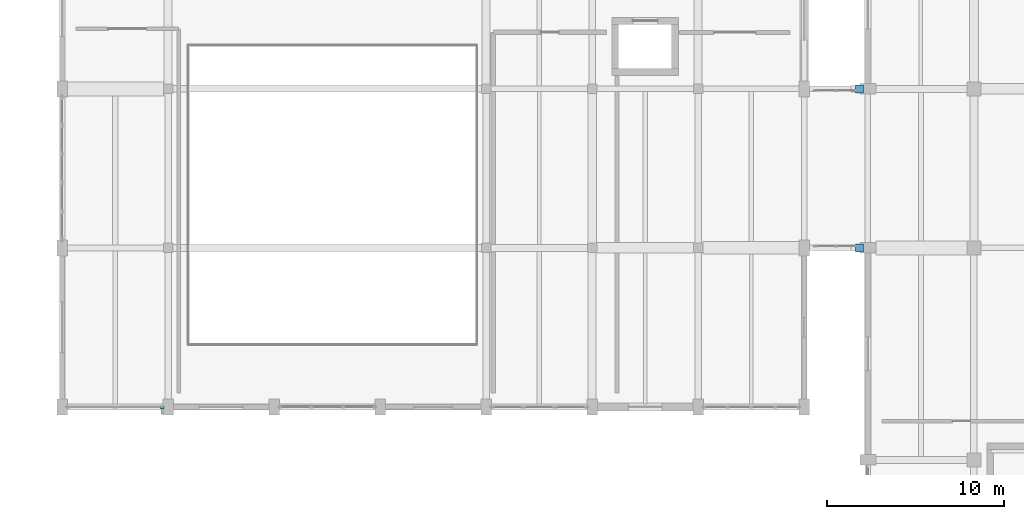
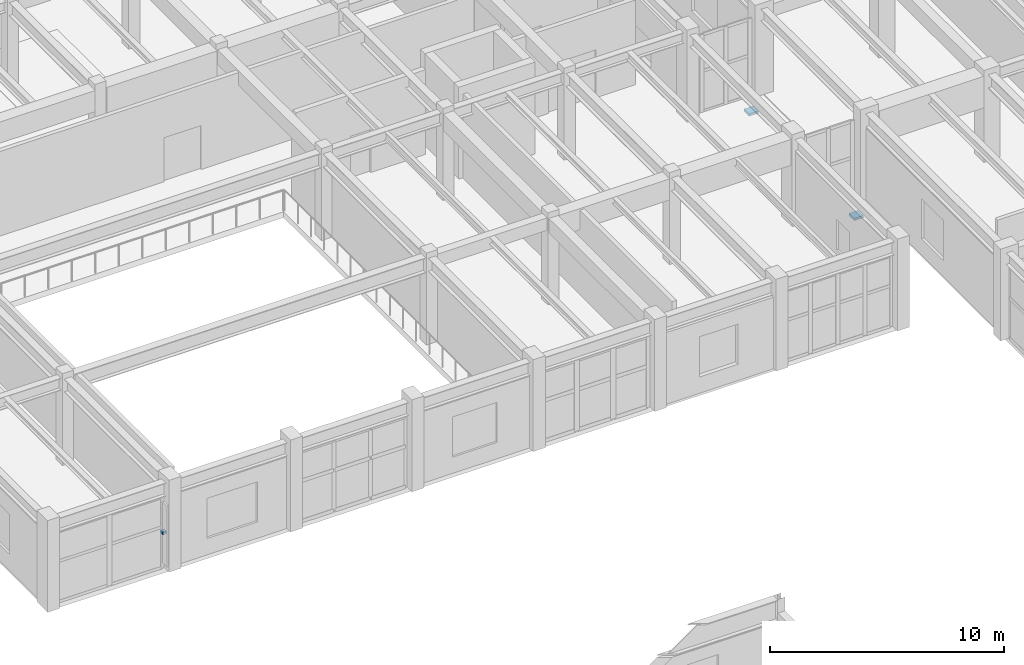
# One storey, part 78 of 96: 3 discrete accessories.
"""IFC4 building model written with IfcOpenShell, lengths in metres."""

from ifc_helpers import new_model, si_unit, direction, frame, origin, origin_2d, place, context, subcontext, project, spatial, rectangle, extrude, material, layer, layer_set, type_object, element, save


model = new_model("IFC4")

# Units and contexts
model_context = context("Model", 3, precision=1e-05, world=origin(), true_north=direction((0.0, 1.0)))
body_context = subcontext(model_context, "Body", "Model", "MODEL_VIEW")
ifc_project = project(units=[si_unit("LENGTHUNIT", "METRE"), si_unit("AREAUNIT", "SQUARE_METRE"), si_unit("VOLUMEUNIT", "CUBIC_METRE"), si_unit("PLANEANGLEUNIT", "RADIAN"), si_unit("MASSUNIT", "GRAM", prefix="KILO")], contexts=[model_context])

# Site, building, storey
site_placement = place(None, origin())
site = spatial("IfcSite", under=ifc_project, at=site_placement, CompositionType="ELEMENT")
building_placement = place(site_placement, origin())
building = spatial("IfcBuilding", under=site, at=building_placement, Name="Vaelkrest Opera House", CompositionType="ELEMENT")
storey_placement = place(building_placement, frame((0.0, 0.0, 5.39990234375)))
storey = spatial("IfcBuildingStorey", under=building, at=storey_placement, Name="L01", CompositionType="ELEMENT", Elevation=5.39990234375)

# Discrete accessories
ifc_material_1 = material(Name="Steel A572 Gr50", Category="steel")
ifc_layer_1 = layer(ifc_material_1, 0.139892578125)
ifc_layer_set_1 = layer_set([ifc_layer_1], Name="Steel A572 Gr50")
discrete_accessory_type_1 = type_object("IfcDiscreteAccessoryType", Name="BRK01", PredefinedType="BRACKET", material=ifc_layer_set_1)
discrete_accessory_placement = place(storey_placement, frame((-69.93798828125, -16.840087890625, 1.80029296875), z_axis=(0.0, 0.0, 1.0), x_axis=(0.0, -1.0, 0.0)))
element("IfcDiscreteAccessory", 1, at=discrete_accessory_placement, inside=storey, type_object=discrete_accessory_type_1, Name="Shading fin bracket 11", PredefinedType="BRACKET", context=body_context, shape_type="SweptSolid", body=[
    extrude(rectangle(XDim=0.179931640625, YDim=0.179931640625, at=origin_2d()), origin(), (0.0, 0.0, 1.0), 0.139892578125),
])
ifc_material_2 = material(Name="PTFE elastomeric bearing Steel A572 Gr50", Category="steel")
ifc_layer_2 = layer(ifc_material_2, 0.1201171875)
ifc_layer_set_2 = layer_set([ifc_layer_2], Name="PTFE elastomeric bearing Steel A572 Gr50")
discrete_accessory_type_2 = type_object("IfcDiscreteAccessoryType", Name="SB01", PredefinedType="USERDEFINED", material=ifc_layer_set_2)
for number, where, z_axis, x_axis, name in (
    (2, (-30.47509765625, -7.800048828125, -0.949951171875), (0.0, 0.0, 1.0), (1.0, 0.0, 0.0), "Unguided PTFE sliding bearing BR-W-L01 S"),
    (3, (-30.47509765625, 1.199951171875, -0.949951171875), (0.0, 0.0, 1.0), (1.0, 0.0, 0.0), "Unguided PTFE sliding bearing BR-W-L01 N"),
):
    element("IfcDiscreteAccessory", number, at=place(storey_placement, frame(where, z_axis=z_axis, x_axis=x_axis)), inside=storey, type_object=discrete_accessory_type_2, Name=name, ObjectType="SLIDING BEARING", PredefinedType="USERDEFINED", context=body_context, shape_type="SweptSolid", body=[
        extrude(rectangle(XDim=0.449951171875, YDim=0.449951171875, at=origin_2d()), origin(), (0.0, 0.0, 1.0), 0.1201171875),
    ])

save(model, "model.ifc")
